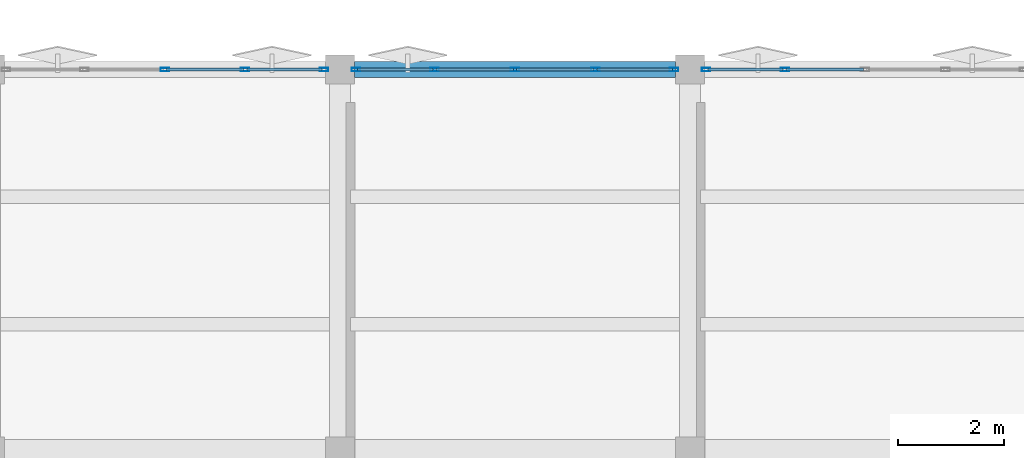
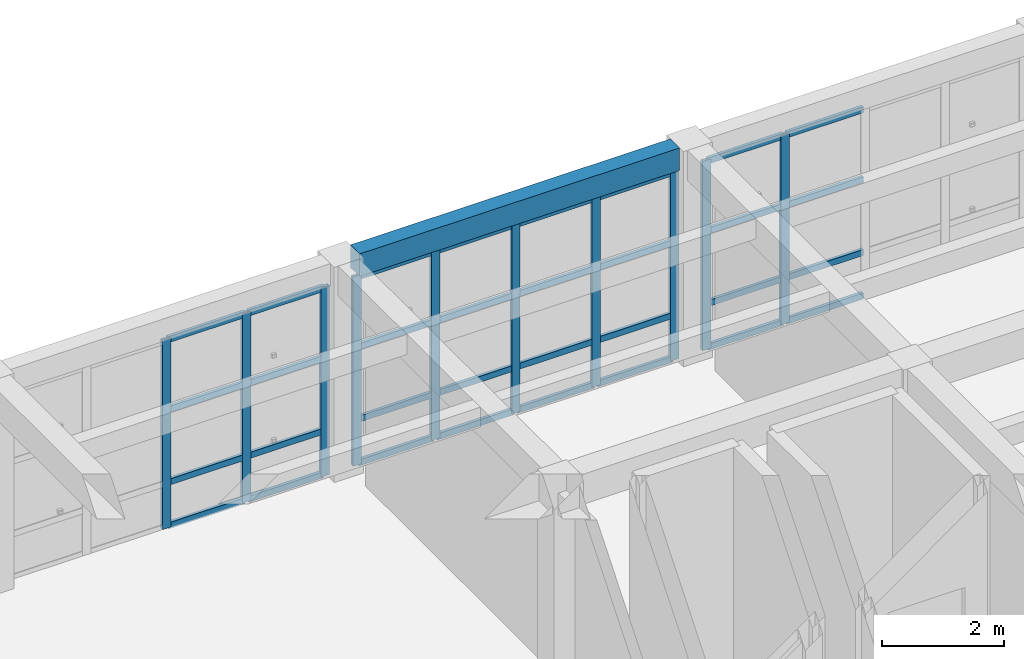
# One storey, part 16 of 36: 42 members, 1 beam, 3 elements without a shape of their own.
"""IFC4 building model written with IfcOpenShell, lengths in metres."""

from ifc_helpers import new_model, si_unit, direction, frame, origin, origin_2d, place, context, subcontext, project, spatial, rectangle, hollow_rectangle, extrude, material, layer, layer_set, material_profile, profile_set, type_object, element, aggregate, save


model = new_model("IFC4")

# Units and contexts
model_context = context("Model", 3, precision=1e-05, world=origin(), true_north=direction((0.0, 1.0)))
body_context = subcontext(model_context, "Body", "Model", "MODEL_VIEW")
ifc_project = project(units=[si_unit("LENGTHUNIT", "METRE"), si_unit("AREAUNIT", "SQUARE_METRE"), si_unit("VOLUMEUNIT", "CUBIC_METRE"), si_unit("PLANEANGLEUNIT", "RADIAN"), si_unit("MASSUNIT", "GRAM", prefix="KILO")], contexts=[model_context])

# Site, building, storey
site_placement = place(None, origin())
site = spatial("IfcSite", under=ifc_project, at=site_placement, CompositionType="ELEMENT")
building_placement = place(site_placement, origin())
building = spatial("IfcBuilding", under=site, at=building_placement, Name="Kharisveld Research Institute", CompositionType="ELEMENT")
storey_placement = place(building_placement, frame((0.0, 0.0, 27.60009765625)))
storey = spatial("IfcBuildingStorey", under=building, at=storey_placement, Name="L06", CompositionType="ELEMENT", Elevation=27.60009765625)

# Curtain wall, members
ifc_material_1 = material(Name="Thermally Broken Aluminium Curtain Wall", Category="aluminium")
ifc_layer_1 = layer(ifc_material_1, 0.159912109375)
ifc_layer_set_1 = layer_set([ifc_layer_1], Name="CW_SYS_02")
curtain_wall_type_1 = type_object("IfcCurtainWallType", Name="CW_SYS_02", PredefinedType="NOTDEFINED", material=ifc_layer_set_1)
curtain_wall_1_placement = place(storey_placement, origin())
curtain_wall_1 = element("IfcCurtainWall", 1, at=curtain_wall_1_placement, inside=storey, type_object=curtain_wall_type_1, Name="CW:V2:L06:N2", PredefinedType="NOTDEFINED")
ifc_material_2 = material(Name="Anodised Aluminium AW-6063-T6", Category="aluminium")
ifc_material_profile_1 = material_profile(ifc_material_2, hollow_rectangle(XDim=0.06494140625, YDim=0.159912109375, WallThickness=0.00390625, at=origin_2d()))
ifc_profile_set_1 = profile_set([ifc_material_profile_1], Name="Anodised Aluminium AW-6063-T6")
member_type_1 = type_object("IfcMemberType", Name="CW_MUL_160", PredefinedType="MULLION", material=ifc_profile_set_1)
member_1_placement = place(storey_placement, frame((131.10009765625, 60.800048828125, 0.0), z_axis=(0.0, 0.0, 1.0), x_axis=(0.0, 1.0, 0.0)))
member_1 = element("IfcMember", 2, at=member_1_placement, type_object=member_type_1, Name="CW-02 mullion 3", PredefinedType="MULLION", context=body_context, shape_type="SweptSolid", body=[
    extrude(hollow_rectangle(XDim=0.06494140625, YDim=0.159912109375, WallThickness=0.00390625, at=origin_2d()), origin(), (0.0, 0.0, 1.0), 3.77978515625),
])
member_2_placement = place(storey_placement, frame((132.614990234375, 60.800048828125, 0.0), z_axis=(0.0, 0.0, 1.0), x_axis=(0.0, 1.0, 0.0)))
member_2 = element("IfcMember", 3, at=member_2_placement, type_object=member_type_1, Name="CW-02 mullion 4", PredefinedType="MULLION", context=body_context, shape_type="SweptSolid", body=[
    extrude(hollow_rectangle(XDim=0.06494140625, YDim=0.159912109375, WallThickness=0.00390625, at=origin_2d()), origin(), (0.0, 0.0, 1.0), 3.77978515625),
])
member_3_placement = place(storey_placement, frame((134.097412109375, 60.800048828125, 0.0), z_axis=(0.0, 0.0, 1.0), x_axis=(0.0, 1.0, 0.0)))
member_3 = element("IfcMember", 4, at=member_3_placement, type_object=member_type_1, Name="CW-02 mullion 5", PredefinedType="MULLION", context=body_context, shape_type="SweptSolid", body=[
    extrude(hollow_rectangle(XDim=0.06494140625, YDim=0.159912109375, WallThickness=0.00390625, at=origin_2d()), origin(), (0.0, 0.0, 1.0), 3.77978515625),
])

ifc_material_3 = material(Name="Thermally Broken Aluminium Curtain Wall", Category="aluminium")
ifc_layer_2 = layer(ifc_material_3, 0.159912109375)
ifc_layer_set_2 = layer_set([ifc_layer_2], Name="CW_SYS_03")
curtain_wall_type_2 = type_object("IfcCurtainWallType", Name="CW_SYS_03", PredefinedType="NOTDEFINED", material=ifc_layer_set_2)
curtain_wall_2_placement = place(storey_placement, origin())
curtain_wall_2 = element("IfcCurtainWall", 5, at=curtain_wall_2_placement, inside=storey, type_object=curtain_wall_type_2, Name="CW:V2:L06:N3", PredefinedType="NOTDEFINED")
member_4_placement = place(storey_placement, frame((134.702392578125, 60.800048828125, 0.0), z_axis=(0.0, 0.0, 1.0), x_axis=(0.0, 1.0, 0.0)))
member_4 = element("IfcMember", 6, at=member_4_placement, type_object=member_type_1, Name="CW-03 mullion 1", PredefinedType="MULLION", context=body_context, shape_type="SweptSolid", body=[
    extrude(hollow_rectangle(XDim=0.06494140625, YDim=0.159912109375, WallThickness=0.00390625, at=origin_2d()), origin(), (0.0, 0.0, 1.0), 3.77978515625),
])
member_5_placement = place(storey_placement, frame((136.18505859375, 60.800048828125, 0.0), z_axis=(0.0, 0.0, 1.0), x_axis=(0.0, 1.0, 0.0)))
member_5 = element("IfcMember", 7, at=member_5_placement, type_object=member_type_1, Name="CW-03 mullion 2", PredefinedType="MULLION", context=body_context, shape_type="SweptSolid", body=[
    extrude(hollow_rectangle(XDim=0.06494140625, YDim=0.159912109375, WallThickness=0.00390625, at=origin_2d()), origin(), (0.0, 0.0, 1.0), 3.77978515625),
])
member_6_placement = place(storey_placement, frame((137.699951171875, 60.800048828125, 0.0), z_axis=(0.0, 0.0, 1.0), x_axis=(0.0, 1.0, 0.0)))
member_6 = element("IfcMember", 8, at=member_6_placement, type_object=member_type_1, Name="CW-03 mullion 3", PredefinedType="MULLION", context=body_context, shape_type="SweptSolid", body=[
    extrude(hollow_rectangle(XDim=0.06494140625, YDim=0.159912109375, WallThickness=0.00390625, at=origin_2d()), origin(), (0.0, 0.0, 1.0), 3.77978515625),
])
member_7_placement = place(storey_placement, frame((139.215087890625, 60.800048828125, 0.0), z_axis=(0.0, 0.0, 1.0), x_axis=(0.0, 1.0, 0.0)))
member_7 = element("IfcMember", 9, at=member_7_placement, type_object=member_type_1, Name="CW-03 mullion 4", PredefinedType="MULLION", context=body_context, shape_type="SweptSolid", body=[
    extrude(hollow_rectangle(XDim=0.06494140625, YDim=0.159912109375, WallThickness=0.00390625, at=origin_2d()), origin(), (0.0, 0.0, 1.0), 3.77978515625),
])
member_8_placement = place(storey_placement, frame((140.697509765625, 60.800048828125, 0.0), z_axis=(0.0, 0.0, 1.0), x_axis=(0.0, 1.0, 0.0)))
member_8 = element("IfcMember", 10, at=member_8_placement, type_object=member_type_1, Name="CW-03 mullion 5", PredefinedType="MULLION", context=body_context, shape_type="SweptSolid", body=[
    extrude(hollow_rectangle(XDim=0.06494140625, YDim=0.159912109375, WallThickness=0.00390625, at=origin_2d()), origin(), (0.0, 0.0, 1.0), 3.77978515625),
])

ifc_material_4 = material(Name="Thermally Broken Aluminium Curtain Wall", Category="aluminium")
ifc_layer_3 = layer(ifc_material_4, 0.159912109375)
ifc_layer_set_3 = layer_set([ifc_layer_3], Name="CW_SYS_04")
curtain_wall_type_3 = type_object("IfcCurtainWallType", Name="CW_SYS_04", PredefinedType="NOTDEFINED", material=ifc_layer_set_3)
curtain_wall_3_placement = place(storey_placement, origin())
curtain_wall_3 = element("IfcCurtainWall", 11, at=curtain_wall_3_placement, inside=storey, type_object=curtain_wall_type_3, Name="CW:V2:L06:N4", PredefinedType="NOTDEFINED")
member_9_placement = place(storey_placement, frame((141.302490234375, 60.800048828125, 0.0), z_axis=(0.0, 0.0, 1.0), x_axis=(0.0, 1.0, 0.0)))
member_9 = element("IfcMember", 12, at=member_9_placement, type_object=member_type_1, Name="CW-04 mullion 1", PredefinedType="MULLION", context=body_context, shape_type="SweptSolid", body=[
    extrude(hollow_rectangle(XDim=0.06494140625, YDim=0.159912109375, WallThickness=0.00390625, at=origin_2d()), origin(), (0.0, 0.0, 1.0), 3.77978515625),
])
member_10_placement = place(storey_placement, frame((142.784912109375, 60.800048828125, 0.0), z_axis=(0.0, 0.0, 1.0), x_axis=(0.0, 1.0, 0.0)))
member_10 = element("IfcMember", 13, at=member_10_placement, type_object=member_type_1, Name="CW-04 mullion 2", PredefinedType="MULLION", context=body_context, shape_type="SweptSolid", body=[
    extrude(hollow_rectangle(XDim=0.06494140625, YDim=0.159912109375, WallThickness=0.00390625, at=origin_2d()), origin(), (0.0, 0.0, 1.0), 3.77978515625),
])

# Member
ifc_material_5 = material(Name="Anodised Aluminium AW-6063-T6", Category="aluminium")
ifc_material_profile_2 = material_profile(ifc_material_5, hollow_rectangle(XDim=0.06005859375, YDim=0.1201171875, WallThickness=0.00390625, at=origin_2d()))
ifc_profile_set_2 = profile_set([ifc_material_profile_2], Name="Anodised Aluminium AW-6063-T6")
member_type_2 = type_object("IfcMemberType", Name="CW_TRN_120", PredefinedType="USERDEFINED", material=ifc_profile_set_2)
member_11_placement = place(storey_placement, frame((131.132568359375, 60.800048828125, 0.02978515625), z_axis=(1.0, 0.0, 0.0), x_axis=(0.0, 1.0, 0.0)))
member_11 = element("IfcMember", 14, at=member_11_placement, type_object=member_type_2, Name="CW-02 transom 3.1", ObjectType="TRANSOM", PredefinedType="USERDEFINED", context=body_context, shape_type="SweptSolid", body=[
    extrude(hollow_rectangle(XDim=0.06005859375, YDim=0.1201171875, WallThickness=0.00390625, at=origin_2d()), origin(), (0.0, 0.0, 1.0), 1.449951171875),
])

member_12_placement = place(storey_placement, frame((131.132568359375, 60.800048828125, 0.89990234375), z_axis=(1.0, 0.0, 0.0), x_axis=(0.0, 1.0, 0.0)))
member_12 = element("IfcMember", 15, at=member_12_placement, type_object=member_type_2, Name="CW-02 transom 3.2", ObjectType="TRANSOM", PredefinedType="USERDEFINED", context=body_context, shape_type="SweptSolid", body=[
    extrude(hollow_rectangle(XDim=0.06005859375, YDim=0.1201171875, WallThickness=0.00390625, at=origin_2d()), origin(), (0.0, 0.0, 1.0), 1.449951171875),
])

member_13_placement = place(storey_placement, frame((131.132568359375, 60.800048828125, 2.349853515625), z_axis=(1.0, 0.0, 0.0), x_axis=(0.0, 1.0, 0.0)))
member_13 = element("IfcMember", 16, at=member_13_placement, type_object=member_type_2, Name="CW-02 transom 3.3", ObjectType="TRANSOM", PredefinedType="USERDEFINED", context=body_context, shape_type="SweptSolid", body=[
    extrude(hollow_rectangle(XDim=0.06005859375, YDim=0.1201171875, WallThickness=0.00390625, at=origin_2d()), origin(), (0.0, 0.0, 1.0), 1.449951171875),
])

member_14_placement = place(storey_placement, frame((131.132568359375, 60.800048828125, 3.75), z_axis=(1.0, 0.0, 0.0), x_axis=(0.0, 1.0, 0.0)))
member_14 = element("IfcMember", 17, at=member_14_placement, type_object=member_type_2, Name="CW-02 transom 3.4", ObjectType="TRANSOM", PredefinedType="USERDEFINED", context=body_context, shape_type="SweptSolid", body=[
    extrude(hollow_rectangle(XDim=0.06005859375, YDim=0.1201171875, WallThickness=0.00390625, at=origin_2d()), origin(), (0.0, 0.0, 1.0), 1.449951171875),
])

member_15_placement = place(storey_placement, frame((132.6474609375, 60.800048828125, 0.02978515625), z_axis=(1.0, 0.0, 0.0), x_axis=(0.0, 1.0, 0.0)))
member_15 = element("IfcMember", 18, at=member_15_placement, type_object=member_type_2, Name="CW-02 transom 4.1", ObjectType="TRANSOM", PredefinedType="USERDEFINED", context=body_context, shape_type="SweptSolid", body=[
    extrude(hollow_rectangle(XDim=0.06005859375, YDim=0.1201171875, WallThickness=0.00390625, at=origin_2d()), origin(), (0.0, 0.0, 1.0), 1.41748046875),
])

member_16_placement = place(storey_placement, frame((132.6474609375, 60.800048828125, 0.89990234375), z_axis=(1.0, 0.0, 0.0), x_axis=(0.0, 1.0, 0.0)))
member_16 = element("IfcMember", 19, at=member_16_placement, type_object=member_type_2, Name="CW-02 transom 4.2", ObjectType="TRANSOM", PredefinedType="USERDEFINED", context=body_context, shape_type="SweptSolid", body=[
    extrude(hollow_rectangle(XDim=0.06005859375, YDim=0.1201171875, WallThickness=0.00390625, at=origin_2d()), origin(), (0.0, 0.0, 1.0), 1.41748046875),
])

member_17_placement = place(storey_placement, frame((132.6474609375, 60.800048828125, 2.349853515625), z_axis=(1.0, 0.0, 0.0), x_axis=(0.0, 1.0, 0.0)))
member_17 = element("IfcMember", 20, at=member_17_placement, type_object=member_type_2, Name="CW-02 transom 4.3", ObjectType="TRANSOM", PredefinedType="USERDEFINED", context=body_context, shape_type="SweptSolid", body=[
    extrude(hollow_rectangle(XDim=0.06005859375, YDim=0.1201171875, WallThickness=0.00390625, at=origin_2d()), origin(), (0.0, 0.0, 1.0), 1.41748046875),
])

member_18_placement = place(storey_placement, frame((132.6474609375, 60.800048828125, 3.75), z_axis=(1.0, 0.0, 0.0), x_axis=(0.0, 1.0, 0.0)))
member_18 = element("IfcMember", 21, at=member_18_placement, type_object=member_type_2, Name="CW-02 transom 4.4", ObjectType="TRANSOM", PredefinedType="USERDEFINED", context=body_context, shape_type="SweptSolid", body=[
    extrude(hollow_rectangle(XDim=0.06005859375, YDim=0.1201171875, WallThickness=0.00390625, at=origin_2d()), origin(), (0.0, 0.0, 1.0), 1.41748046875),
])

aggregate(curtain_wall_1, [member_1, member_2, member_3, member_11, member_12, member_13, member_14, member_15, member_16, member_17, member_18])

member_19_placement = place(storey_placement, frame((134.735107421875, 60.800048828125, 0.02978515625), z_axis=(1.0, 0.0, 0.0), x_axis=(0.0, 1.0, 0.0)))
member_19 = element("IfcMember", 22, at=member_19_placement, type_object=member_type_2, Name="CW-03 transom 1.1", ObjectType="TRANSOM", PredefinedType="USERDEFINED", context=body_context, shape_type="SweptSolid", body=[
    extrude(hollow_rectangle(XDim=0.06005859375, YDim=0.1201171875, WallThickness=0.00390625, at=origin_2d()), origin(), (0.0, 0.0, 1.0), 1.41748046875),
])

member_20_placement = place(storey_placement, frame((134.735107421875, 60.800048828125, 0.89990234375), z_axis=(1.0, 0.0, 0.0), x_axis=(0.0, 1.0, 0.0)))
member_20 = element("IfcMember", 23, at=member_20_placement, type_object=member_type_2, Name="CW-03 transom 1.2", ObjectType="TRANSOM", PredefinedType="USERDEFINED", context=body_context, shape_type="SweptSolid", body=[
    extrude(hollow_rectangle(XDim=0.06005859375, YDim=0.1201171875, WallThickness=0.00390625, at=origin_2d()), origin(), (0.0, 0.0, 1.0), 1.41748046875),
])

member_21_placement = place(storey_placement, frame((134.735107421875, 60.800048828125, 2.349853515625), z_axis=(1.0, 0.0, 0.0), x_axis=(0.0, 1.0, 0.0)))
member_21 = element("IfcMember", 24, at=member_21_placement, type_object=member_type_2, Name="CW-03 transom 1.3", ObjectType="TRANSOM", PredefinedType="USERDEFINED", context=body_context, shape_type="SweptSolid", body=[
    extrude(hollow_rectangle(XDim=0.06005859375, YDim=0.1201171875, WallThickness=0.00390625, at=origin_2d()), origin(), (0.0, 0.0, 1.0), 1.41748046875),
])

member_22_placement = place(storey_placement, frame((134.735107421875, 60.800048828125, 3.75), z_axis=(1.0, 0.0, 0.0), x_axis=(0.0, 1.0, 0.0)))
member_22 = element("IfcMember", 25, at=member_22_placement, type_object=member_type_2, Name="CW-03 transom 1.4", ObjectType="TRANSOM", PredefinedType="USERDEFINED", context=body_context, shape_type="SweptSolid", body=[
    extrude(hollow_rectangle(XDim=0.06005859375, YDim=0.1201171875, WallThickness=0.00390625, at=origin_2d()), origin(), (0.0, 0.0, 1.0), 1.41748046875),
])

member_23_placement = place(storey_placement, frame((136.217529296875, 60.800048828125, 0.02978515625), z_axis=(1.0, 0.0, 0.0), x_axis=(0.0, 1.0, 0.0)))
member_23 = element("IfcMember", 26, at=member_23_placement, type_object=member_type_2, Name="CW-03 transom 2.1", ObjectType="TRANSOM", PredefinedType="USERDEFINED", context=body_context, shape_type="SweptSolid", body=[
    extrude(hollow_rectangle(XDim=0.06005859375, YDim=0.1201171875, WallThickness=0.00390625, at=origin_2d()), origin(), (0.0, 0.0, 1.0), 1.449951171875),
])

member_24_placement = place(storey_placement, frame((136.217529296875, 60.800048828125, 0.89990234375), z_axis=(1.0, 0.0, 0.0), x_axis=(0.0, 1.0, 0.0)))
member_24 = element("IfcMember", 27, at=member_24_placement, type_object=member_type_2, Name="CW-03 transom 2.2", ObjectType="TRANSOM", PredefinedType="USERDEFINED", context=body_context, shape_type="SweptSolid", body=[
    extrude(hollow_rectangle(XDim=0.06005859375, YDim=0.1201171875, WallThickness=0.00390625, at=origin_2d()), origin(), (0.0, 0.0, 1.0), 1.449951171875),
])

member_25_placement = place(storey_placement, frame((136.217529296875, 60.800048828125, 2.349853515625), z_axis=(1.0, 0.0, 0.0), x_axis=(0.0, 1.0, 0.0)))
member_25 = element("IfcMember", 28, at=member_25_placement, type_object=member_type_2, Name="CW-03 transom 2.3", ObjectType="TRANSOM", PredefinedType="USERDEFINED", context=body_context, shape_type="SweptSolid", body=[
    extrude(hollow_rectangle(XDim=0.06005859375, YDim=0.1201171875, WallThickness=0.00390625, at=origin_2d()), origin(), (0.0, 0.0, 1.0), 1.449951171875),
])

member_26_placement = place(storey_placement, frame((136.217529296875, 60.800048828125, 3.75), z_axis=(1.0, 0.0, 0.0), x_axis=(0.0, 1.0, 0.0)))
member_26 = element("IfcMember", 29, at=member_26_placement, type_object=member_type_2, Name="CW-03 transom 2.4", ObjectType="TRANSOM", PredefinedType="USERDEFINED", context=body_context, shape_type="SweptSolid", body=[
    extrude(hollow_rectangle(XDim=0.06005859375, YDim=0.1201171875, WallThickness=0.00390625, at=origin_2d()), origin(), (0.0, 0.0, 1.0), 1.449951171875),
])

member_27_placement = place(storey_placement, frame((137.732421875, 60.800048828125, 0.02978515625), z_axis=(1.0, 0.0, 0.0), x_axis=(0.0, 1.0, 0.0)))
member_27 = element("IfcMember", 30, at=member_27_placement, type_object=member_type_2, Name="CW-03 transom 3.1", ObjectType="TRANSOM", PredefinedType="USERDEFINED", context=body_context, shape_type="SweptSolid", body=[
    extrude(hollow_rectangle(XDim=0.06005859375, YDim=0.1201171875, WallThickness=0.00390625, at=origin_2d()), origin(), (0.0, 0.0, 1.0), 1.4501953125),
])

member_28_placement = place(storey_placement, frame((137.732421875, 60.800048828125, 0.89990234375), z_axis=(1.0, 0.0, 0.0), x_axis=(0.0, 1.0, 0.0)))
member_28 = element("IfcMember", 31, at=member_28_placement, type_object=member_type_2, Name="CW-03 transom 3.2", ObjectType="TRANSOM", PredefinedType="USERDEFINED", context=body_context, shape_type="SweptSolid", body=[
    extrude(hollow_rectangle(XDim=0.06005859375, YDim=0.1201171875, WallThickness=0.00390625, at=origin_2d()), origin(), (0.0, 0.0, 1.0), 1.4501953125),
])

member_29_placement = place(storey_placement, frame((137.732421875, 60.800048828125, 2.349853515625), z_axis=(1.0, 0.0, 0.0), x_axis=(0.0, 1.0, 0.0)))
member_29 = element("IfcMember", 32, at=member_29_placement, type_object=member_type_2, Name="CW-03 transom 3.3", ObjectType="TRANSOM", PredefinedType="USERDEFINED", context=body_context, shape_type="SweptSolid", body=[
    extrude(hollow_rectangle(XDim=0.06005859375, YDim=0.1201171875, WallThickness=0.00390625, at=origin_2d()), origin(), (0.0, 0.0, 1.0), 1.4501953125),
])

member_30_placement = place(storey_placement, frame((137.732421875, 60.800048828125, 3.75), z_axis=(1.0, 0.0, 0.0), x_axis=(0.0, 1.0, 0.0)))
member_30 = element("IfcMember", 33, at=member_30_placement, type_object=member_type_2, Name="CW-03 transom 3.4", ObjectType="TRANSOM", PredefinedType="USERDEFINED", context=body_context, shape_type="SweptSolid", body=[
    extrude(hollow_rectangle(XDim=0.06005859375, YDim=0.1201171875, WallThickness=0.00390625, at=origin_2d()), origin(), (0.0, 0.0, 1.0), 1.4501953125),
])

member_31_placement = place(storey_placement, frame((139.24755859375, 60.800048828125, 0.02978515625), z_axis=(1.0, 0.0, 0.0), x_axis=(0.0, 1.0, 0.0)))
member_31 = element("IfcMember", 34, at=member_31_placement, type_object=member_type_2, Name="CW-03 transom 4.1", ObjectType="TRANSOM", PredefinedType="USERDEFINED", context=body_context, shape_type="SweptSolid", body=[
    extrude(hollow_rectangle(XDim=0.06005859375, YDim=0.1201171875, WallThickness=0.00390625, at=origin_2d()), origin(), (0.0, 0.0, 1.0), 1.41748046875),
])

member_32_placement = place(storey_placement, frame((139.24755859375, 60.800048828125, 0.89990234375), z_axis=(1.0, 0.0, 0.0), x_axis=(0.0, 1.0, 0.0)))
member_32 = element("IfcMember", 35, at=member_32_placement, type_object=member_type_2, Name="CW-03 transom 4.2", ObjectType="TRANSOM", PredefinedType="USERDEFINED", context=body_context, shape_type="SweptSolid", body=[
    extrude(hollow_rectangle(XDim=0.06005859375, YDim=0.1201171875, WallThickness=0.00390625, at=origin_2d()), origin(), (0.0, 0.0, 1.0), 1.41748046875),
])

member_33_placement = place(storey_placement, frame((139.24755859375, 60.800048828125, 2.349853515625), z_axis=(1.0, 0.0, 0.0), x_axis=(0.0, 1.0, 0.0)))
member_33 = element("IfcMember", 36, at=member_33_placement, type_object=member_type_2, Name="CW-03 transom 4.3", ObjectType="TRANSOM", PredefinedType="USERDEFINED", context=body_context, shape_type="SweptSolid", body=[
    extrude(hollow_rectangle(XDim=0.06005859375, YDim=0.1201171875, WallThickness=0.00390625, at=origin_2d()), origin(), (0.0, 0.0, 1.0), 1.41748046875),
])

member_34_placement = place(storey_placement, frame((139.24755859375, 60.800048828125, 3.75), z_axis=(1.0, 0.0, 0.0), x_axis=(0.0, 1.0, 0.0)))
member_34 = element("IfcMember", 37, at=member_34_placement, type_object=member_type_2, Name="CW-03 transom 4.4", ObjectType="TRANSOM", PredefinedType="USERDEFINED", context=body_context, shape_type="SweptSolid", body=[
    extrude(hollow_rectangle(XDim=0.06005859375, YDim=0.1201171875, WallThickness=0.00390625, at=origin_2d()), origin(), (0.0, 0.0, 1.0), 1.41748046875),
])

aggregate(curtain_wall_2, [member_4, member_5, member_6, member_7, member_8, member_19, member_20, member_21, member_22, member_23, member_24, member_25, member_26, member_27, member_28, member_29, member_30, member_31, member_32, member_33, member_34])

member_35_placement = place(storey_placement, frame((141.3349609375, 60.800048828125, 0.02978515625), z_axis=(1.0, 0.0, 0.0), x_axis=(0.0, 1.0, 0.0)))
member_35 = element("IfcMember", 38, at=member_35_placement, type_object=member_type_2, Name="CW-04 transom 1.1", ObjectType="TRANSOM", PredefinedType="USERDEFINED", context=body_context, shape_type="SweptSolid", body=[
    extrude(hollow_rectangle(XDim=0.06005859375, YDim=0.1201171875, WallThickness=0.00390625, at=origin_2d()), origin(), (0.0, 0.0, 1.0), 1.41748046875),
])

member_36_placement = place(storey_placement, frame((141.3349609375, 60.800048828125, 0.89990234375), z_axis=(1.0, 0.0, 0.0), x_axis=(0.0, 1.0, 0.0)))
member_36 = element("IfcMember", 39, at=member_36_placement, type_object=member_type_2, Name="CW-04 transom 1.2", ObjectType="TRANSOM", PredefinedType="USERDEFINED", context=body_context, shape_type="SweptSolid", body=[
    extrude(hollow_rectangle(XDim=0.06005859375, YDim=0.1201171875, WallThickness=0.00390625, at=origin_2d()), origin(), (0.0, 0.0, 1.0), 1.41748046875),
])

member_37_placement = place(storey_placement, frame((141.3349609375, 60.800048828125, 2.349853515625), z_axis=(1.0, 0.0, 0.0), x_axis=(0.0, 1.0, 0.0)))
member_37 = element("IfcMember", 40, at=member_37_placement, type_object=member_type_2, Name="CW-04 transom 1.3", ObjectType="TRANSOM", PredefinedType="USERDEFINED", context=body_context, shape_type="SweptSolid", body=[
    extrude(hollow_rectangle(XDim=0.06005859375, YDim=0.1201171875, WallThickness=0.00390625, at=origin_2d()), origin(), (0.0, 0.0, 1.0), 1.41748046875),
])

member_38_placement = place(storey_placement, frame((141.3349609375, 60.800048828125, 3.75), z_axis=(1.0, 0.0, 0.0), x_axis=(0.0, 1.0, 0.0)))
member_38 = element("IfcMember", 41, at=member_38_placement, type_object=member_type_2, Name="CW-04 transom 1.4", ObjectType="TRANSOM", PredefinedType="USERDEFINED", context=body_context, shape_type="SweptSolid", body=[
    extrude(hollow_rectangle(XDim=0.06005859375, YDim=0.1201171875, WallThickness=0.00390625, at=origin_2d()), origin(), (0.0, 0.0, 1.0), 1.41748046875),
])

member_39_placement = place(storey_placement, frame((142.8173828125, 60.800048828125, 0.02978515625), z_axis=(1.0, 0.0, 0.0), x_axis=(0.0, 1.0, 0.0)))
member_39 = element("IfcMember", 42, at=member_39_placement, type_object=member_type_2, Name="CW-04 transom 2.1", ObjectType="TRANSOM", PredefinedType="USERDEFINED", context=body_context, shape_type="SweptSolid", body=[
    extrude(hollow_rectangle(XDim=0.06005859375, YDim=0.1201171875, WallThickness=0.00390625, at=origin_2d()), origin(), (0.0, 0.0, 1.0), 1.4501953125),
])

member_40_placement = place(storey_placement, frame((142.8173828125, 60.800048828125, 0.89990234375), z_axis=(1.0, 0.0, 0.0), x_axis=(0.0, 1.0, 0.0)))
member_40 = element("IfcMember", 43, at=member_40_placement, type_object=member_type_2, Name="CW-04 transom 2.2", ObjectType="TRANSOM", PredefinedType="USERDEFINED", context=body_context, shape_type="SweptSolid", body=[
    extrude(hollow_rectangle(XDim=0.06005859375, YDim=0.1201171875, WallThickness=0.00390625, at=origin_2d()), origin(), (0.0, 0.0, 1.0), 1.4501953125),
])

member_41_placement = place(storey_placement, frame((142.8173828125, 60.800048828125, 2.349853515625), z_axis=(1.0, 0.0, 0.0), x_axis=(0.0, 1.0, 0.0)))
member_41 = element("IfcMember", 44, at=member_41_placement, type_object=member_type_2, Name="CW-04 transom 2.3", ObjectType="TRANSOM", PredefinedType="USERDEFINED", context=body_context, shape_type="SweptSolid", body=[
    extrude(hollow_rectangle(XDim=0.06005859375, YDim=0.1201171875, WallThickness=0.00390625, at=origin_2d()), origin(), (0.0, 0.0, 1.0), 1.4501953125),
])

member_42_placement = place(storey_placement, frame((142.8173828125, 60.800048828125, 3.75), z_axis=(1.0, 0.0, 0.0), x_axis=(0.0, 1.0, 0.0)))
member_42 = element("IfcMember", 45, at=member_42_placement, type_object=member_type_2, Name="CW-04 transom 2.4", ObjectType="TRANSOM", PredefinedType="USERDEFINED", context=body_context, shape_type="SweptSolid", body=[
    extrude(hollow_rectangle(XDim=0.06005859375, YDim=0.1201171875, WallThickness=0.00390625, at=origin_2d()), origin(), (0.0, 0.0, 1.0), 1.4501953125),
])

aggregate(curtain_wall_3, [member_9, member_10, member_35, member_36, member_37, member_38, member_39, member_40, member_41, member_42])

# Beam
ifc_material_6 = material(Name="Concrete C40/50", Category="concrete")
ifc_material_profile_3 = material_profile(ifc_material_6, rectangle(XDim=0.300048828125, YDim=0.449951171875, at=origin_2d()))
ifc_profile_set_3 = profile_set([ifc_material_profile_3], Name="Concrete C40/50")
beam_type = type_object("IfcBeamType", Name="SP_RC_300x450", PredefinedType="SPANDREL", material=ifc_profile_set_3)
beam_placement = place(storey_placement, frame((134.675048828125, 60.800048828125, 4.074951171875), z_axis=(1.0, 0.0, 0.0), x_axis=(0.0, 1.0, 0.0)))
element("IfcBeam", 46, at=beam_placement, inside=storey, type_object=beam_type, Name="BM:V2:L06:U3_3", PredefinedType="SPANDREL", context=body_context, shape_type="SweptSolid", body=[
    extrude(rectangle(XDim=0.300048828125, YDim=0.449951171875, at=origin_2d()), origin(), (0.0, 0.0, 1.0), 6.050048828125),
])

save(model, "model.ifc")
